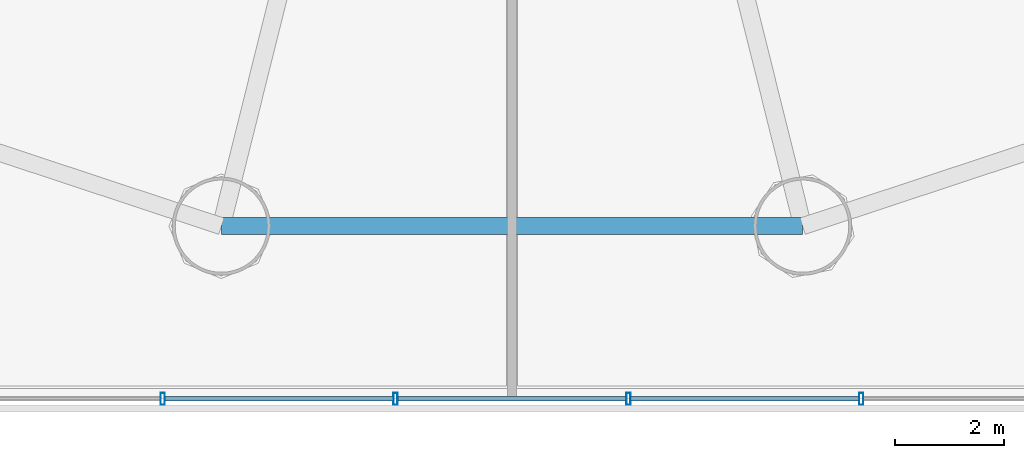
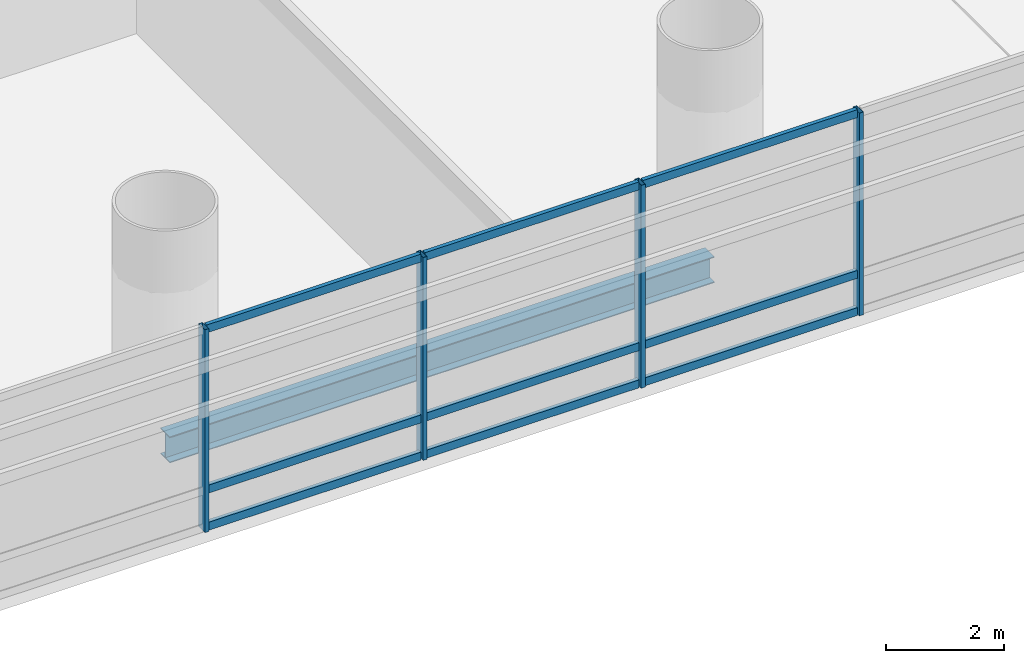
# One storey, part 6 of 36: 13 members, 1 beam, 1 element without a shape of its own.
"""IFC4 building model written with IfcOpenShell, lengths in metres."""

from ifc_helpers import new_model, si_unit, direction, frame, origin, origin_2d, place, context, subcontext, project, spatial, hollow_rectangle, i_section, extrude, source, transform, mapped, material, material_profile, profile_set, type_object, element, aggregate, save


model = new_model("IFC4")

# Units and contexts
model_context = context("Model", 3, precision=1e-05, world=origin(), true_north=direction((-0.2419218956, 0.970295726276)))
body_context = subcontext(model_context, "Body", "Model", "MODEL_VIEW")
ifc_project = project(units=[si_unit("LENGTHUNIT", "METRE"), si_unit("AREAUNIT", "SQUARE_METRE"), si_unit("VOLUMEUNIT", "CUBIC_METRE"), si_unit("PLANEANGLEUNIT", "RADIAN"), si_unit("MASSUNIT", "GRAM", prefix="KILO")], contexts=[model_context])

# Site, building, storey
site_placement = place(None, origin())
site = spatial("IfcSite", under=ifc_project, at=site_placement, CompositionType="ELEMENT")
building_placement = place(site_placement, origin())
building = spatial("IfcBuilding", under=site, at=building_placement, Name="Cobrevalo Terracotta Tower", CompositionType="ELEMENT")
storey_placement = place(building_placement, frame((0.0, 0.0, 5.39990234375)))
storey = spatial("IfcBuildingStorey", under=building, at=storey_placement, Name="L01", CompositionType="ELEMENT", Elevation=5.39990234375)

# Beam
ifc_material_1 = material(Name="Steel S355", Category="steel")
ifc_material_profile_1 = material_profile(ifc_material_1, i_section(OverallWidth=0.31201171875, OverallDepth=0.54296875, WebThickness=0.0126953125, FlangeThickness=0.020263671875, at=origin_2d()), Name="W 530x150")
ifc_profile_set_1 = profile_set([ifc_material_profile_1], Name="Steel S355")
beam_type = type_object("IfcBeamType", Name="Structural Spandrel W 530x150 (Steel S355)", PredefinedType="SPANDREL", material=ifc_profile_set_1)
beam_placement = place(storey_placement, frame((32.664306640625, 5.369873046875, -0.5712890625), z_axis=(1.0, 0.0, 0.0), x_axis=(0.0, 1.0, 0.0)))
element("IfcBeam", 1, at=beam_placement, inside=storey, type_object=beam_type, Name="L01 perimeter ring spandrel 12", PredefinedType="SPANDREL", context=body_context, shape_type="SweptSolid", body=[
    extrude(i_section(OverallWidth=0.31201171875, OverallDepth=0.54296875, WebThickness=0.0126953125, FlangeThickness=0.020263671875, at=origin_2d()), origin(), (0.0, 0.0, 1.0), 10.67138671875),
])

# Curtain wall, members
ifc_material_2 = material(Name="Anodized aluminium", Category="aluminium")
curtain_wall_type = type_object("IfcCurtainWallType", Name="Double-height storefront stick curtain wall CW-S1", PredefinedType="NOTDEFINED", material=ifc_material_2)
curtain_wall_placement = place(storey_placement, origin())
curtain_wall = element("IfcCurtainWall", 2, at=curtain_wall_placement, inside=storey, type_object=curtain_wall_type, Name="L01 curtain wall CW-POD-L01-S", PredefinedType="NOTDEFINED")
ifc_material_profile_2 = material_profile(ifc_material_2, hollow_rectangle(XDim=0.080078125, YDim=0.219970703125, WallThickness=0.0048828125, at=origin_2d()), Name="CWM 80x220")
ifc_profile_set_2 = profile_set([ifc_material_profile_2], Name="Anodized aluminium")
member_type_1 = type_object("IfcMemberType", Name="Storefront & atrium aluminium mullion 80x220", PredefinedType="MULLION", material=ifc_profile_set_2)
shared_shape_1 = source(origin(), body_context, "Body", "SweptSolid", [
    extrude(hollow_rectangle(XDim=0.080078125, YDim=0.219970703125, WallThickness=0.0048828125, at=origin_2d()), origin(), (0.0, 0.0, 1.0), 4.2001953125),
])
member_1_placement = place(storey_placement, frame((31.590087890625, 2.199951171875, 0.0), z_axis=(0.0, 0.0, 1.0), x_axis=(1.0, 0.0, 0.0)))
member_1 = element("IfcMember", 3, at=member_1_placement, type_object=member_type_1, Name="CW-POD-L01-S vertical mullion 07", PredefinedType="MULLION", context=body_context, shape_type="MappedRepresentation", body=[
    mapped(shared_shape_1, transform((0.0, 0.0, 0.0), scale=1.0)),
])
member_2_placement = place(storey_placement, frame((35.86328125, 2.199951171875, 0.0), z_axis=(0.0, 0.0, 1.0), x_axis=(1.0, 0.0, 0.0)))
member_2 = element("IfcMember", 4, at=member_2_placement, type_object=member_type_1, Name="CW-POD-L01-S vertical mullion 08", PredefinedType="MULLION", context=body_context, shape_type="MappedRepresentation", body=[
    mapped(shared_shape_1, transform((0.0, 0.0, 0.0), scale=1.0)),
])
member_3_placement = place(storey_placement, frame((40.13671875, 2.199951171875, 0.0), z_axis=(0.0, 0.0, 1.0), x_axis=(1.0, 0.0, 0.0)))
member_3 = element("IfcMember", 5, at=member_3_placement, type_object=member_type_1, Name="CW-POD-L01-S vertical mullion 09", PredefinedType="MULLION", context=body_context, shape_type="MappedRepresentation", body=[
    mapped(shared_shape_1, transform((0.0, 0.0, 0.0), scale=1.0)),
])
member_4_placement = place(storey_placement, frame((44.409912109375, 2.199951171875, 0.0), z_axis=(0.0, 0.0, 1.0), x_axis=(1.0, 0.0, 0.0)))
member_4 = element("IfcMember", 6, at=member_4_placement, type_object=member_type_1, Name="CW-POD-L01-S vertical mullion 10", PredefinedType="MULLION", context=body_context, shape_type="MappedRepresentation", body=[
    mapped(shared_shape_1, transform((0.0, 0.0, 0.0), scale=1.0)),
])
ifc_material_profile_3 = material_profile(ifc_material_2, hollow_rectangle(XDim=0.080078125, YDim=0.1650390625, WallThickness=0.00439453125, at=origin_2d()), Name="CWT 80x165")
ifc_profile_set_3 = profile_set([ifc_material_profile_3], Name="Anodized aluminium")
member_type_2 = type_object("IfcMemberType", Name="Storefront & atrium aluminium transom 80x165", PredefinedType="USERDEFINED", material=ifc_profile_set_3)
shared_shape_2 = source(origin(), body_context, "Body", "SweptSolid", [
    extrude(hollow_rectangle(XDim=0.080078125, YDim=0.1650390625, WallThickness=0.00439453125, at=origin_2d()), origin(), (0.0, 0.0, 1.0), 4.193359375),
])
member_5_placement = place(storey_placement, frame((31.6298828125, 2.199951171875, 0.050048828125), z_axis=(1.0, 0.0, 0.0), x_axis=(0.0, 1.0, 0.0)))
member_5 = element("IfcMember", 7, at=member_5_placement, type_object=member_type_2, Name="CW-POD-L01-S transom B07-T1", ObjectType="TRANSOM", PredefinedType="USERDEFINED", context=body_context, shape_type="MappedRepresentation", body=[
    mapped(shared_shape_2, transform((0.0, 0.0, 0.0), scale=1.0)),
])
member_6_placement = place(storey_placement, frame((31.6298828125, 2.199951171875, 0.820068359375), z_axis=(1.0, 0.0, 0.0), x_axis=(0.0, 1.0, 0.0)))
member_6 = element("IfcMember", 8, at=member_6_placement, type_object=member_type_2, Name="CW-POD-L01-S transom B07-T2", ObjectType="TRANSOM", PredefinedType="USERDEFINED", context=body_context, shape_type="MappedRepresentation", body=[
    mapped(shared_shape_2, transform((0.0, 0.0, 0.0), scale=1.0)),
])
member_7_placement = place(storey_placement, frame((31.6298828125, 2.199951171875, 4.150146484375), z_axis=(1.0, 0.0, 0.0), x_axis=(0.0, 1.0, 0.0)))
member_7 = element("IfcMember", 9, at=member_7_placement, type_object=member_type_2, Name="CW-POD-L01-S transom B07-T3", ObjectType="TRANSOM", PredefinedType="USERDEFINED", context=body_context, shape_type="MappedRepresentation", body=[
    mapped(shared_shape_2, transform((0.0, 0.0, 0.0), scale=1.0)),
])
member_8_placement = place(storey_placement, frame((35.9033203125, 2.199951171875, 0.050048828125), z_axis=(1.0, 0.0, 0.0), x_axis=(0.0, 1.0, 0.0)))
member_8 = element("IfcMember", 10, at=member_8_placement, type_object=member_type_2, Name="CW-POD-L01-S transom B08-T1", ObjectType="TRANSOM", PredefinedType="USERDEFINED", context=body_context, shape_type="MappedRepresentation", body=[
    mapped(shared_shape_2, transform((0.0, 0.0, 0.0), scale=1.0)),
])
member_9_placement = place(storey_placement, frame((35.9033203125, 2.199951171875, 0.820068359375), z_axis=(1.0, 0.0, 0.0), x_axis=(0.0, 1.0, 0.0)))
member_9 = element("IfcMember", 11, at=member_9_placement, type_object=member_type_2, Name="CW-POD-L01-S transom B08-T2", ObjectType="TRANSOM", PredefinedType="USERDEFINED", context=body_context, shape_type="MappedRepresentation", body=[
    mapped(shared_shape_2, transform((0.0, 0.0, 0.0), scale=1.0)),
])
member_10_placement = place(storey_placement, frame((35.9033203125, 2.199951171875, 4.150146484375), z_axis=(1.0, 0.0, 0.0), x_axis=(0.0, 1.0, 0.0)))
member_10 = element("IfcMember", 12, at=member_10_placement, type_object=member_type_2, Name="CW-POD-L01-S transom B08-T3", ObjectType="TRANSOM", PredefinedType="USERDEFINED", context=body_context, shape_type="MappedRepresentation", body=[
    mapped(shared_shape_2, transform((0.0, 0.0, 0.0), scale=1.0)),
])
member_11_placement = place(storey_placement, frame((40.1767578125, 2.199951171875, 0.050048828125), z_axis=(1.0, 0.0, 0.0), x_axis=(0.0, 1.0, 0.0)))
member_11 = element("IfcMember", 13, at=member_11_placement, type_object=member_type_2, Name="CW-POD-L01-S transom B09-T1", ObjectType="TRANSOM", PredefinedType="USERDEFINED", context=body_context, shape_type="MappedRepresentation", body=[
    mapped(shared_shape_2, transform((0.0, 0.0, 0.0), scale=1.0)),
])
member_12_placement = place(storey_placement, frame((40.1767578125, 2.199951171875, 0.820068359375), z_axis=(1.0, 0.0, 0.0), x_axis=(0.0, 1.0, 0.0)))
member_12 = element("IfcMember", 14, at=member_12_placement, type_object=member_type_2, Name="CW-POD-L01-S transom B09-T2", ObjectType="TRANSOM", PredefinedType="USERDEFINED", context=body_context, shape_type="MappedRepresentation", body=[
    mapped(shared_shape_2, transform((0.0, 0.0, 0.0), scale=1.0)),
])
member_13_placement = place(storey_placement, frame((40.1767578125, 2.199951171875, 4.150146484375), z_axis=(1.0, 0.0, 0.0), x_axis=(0.0, 1.0, 0.0)))
member_13 = element("IfcMember", 15, at=member_13_placement, type_object=member_type_2, Name="CW-POD-L01-S transom B09-T3", ObjectType="TRANSOM", PredefinedType="USERDEFINED", context=body_context, shape_type="MappedRepresentation", body=[
    mapped(shared_shape_2, transform((0.0, 0.0, 0.0), scale=1.0)),
])
aggregate(curtain_wall, [member_1, member_2, member_3, member_4, member_5, member_6, member_7, member_8, member_9, member_10, member_11, member_12, member_13])

save(model, "model.ifc")
